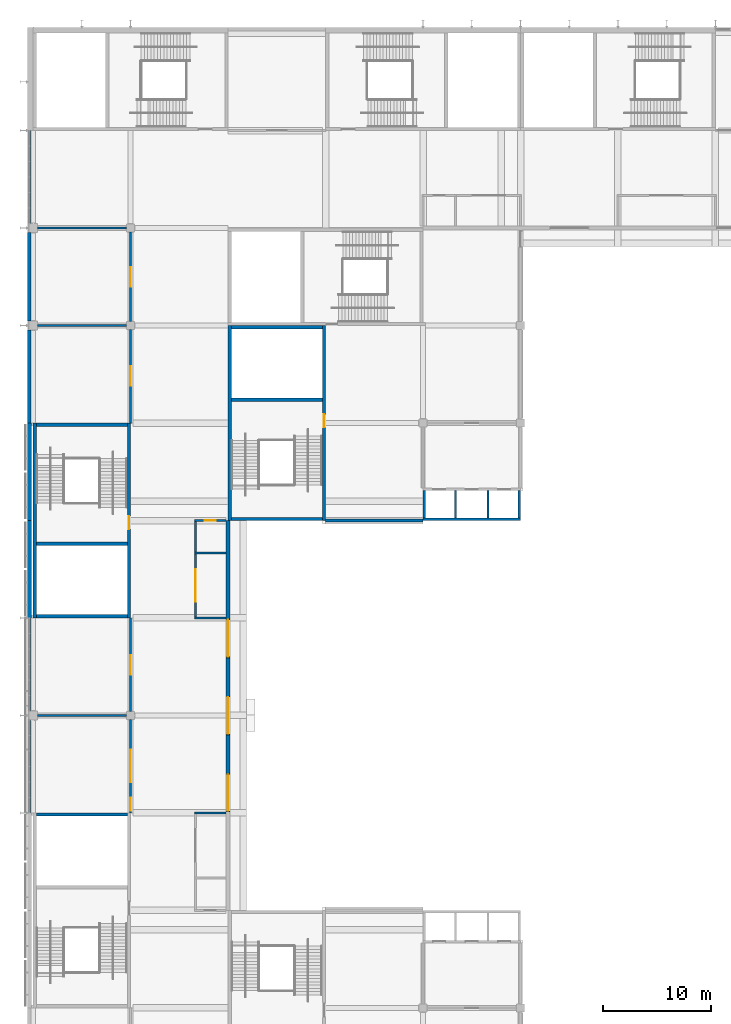
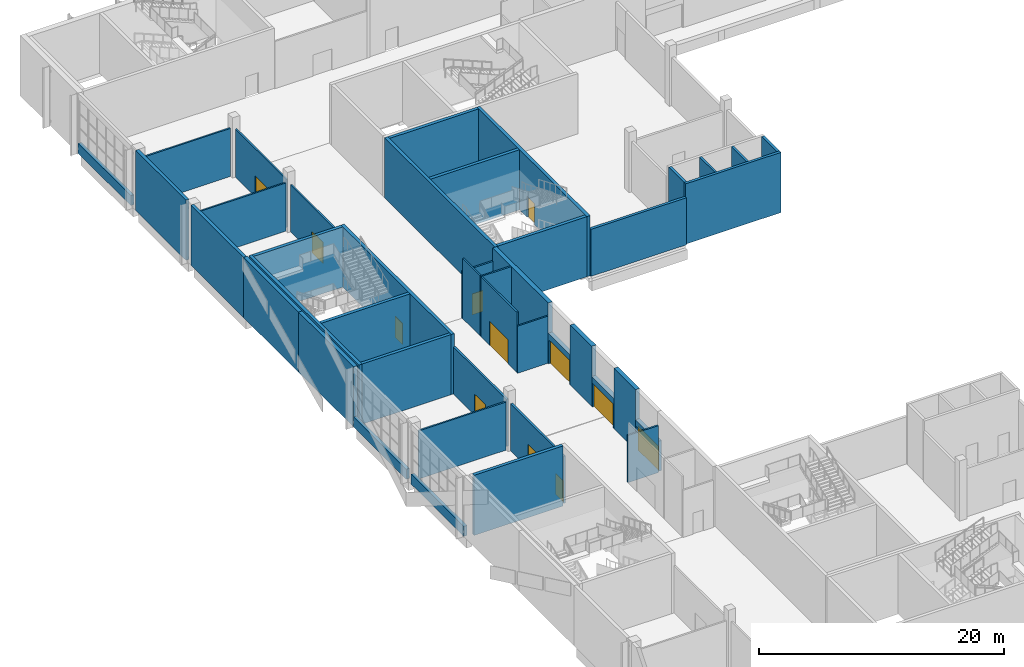
# One storey, part 42 of 89: 43 walls, 12 doors, 12 openings.
"""IFC4 building model written with IfcOpenShell, lengths in metres."""

from ifc_helpers import new_model, si_unit, direction, frame, frame_2d, origin, place, context, subcontext, project, spatial, rectangle, extrude, material, layer, layer_set, type_object, element, fill, save


model = new_model("IFC4")

# Units and contexts
model_context = context("Model", 3, precision=1e-05, world=origin(), true_north=direction((0.0, 1.0)))
body_context = subcontext(model_context, "Body", "Model", "MODEL_VIEW")
ifc_project = project(units=[si_unit("LENGTHUNIT", "METRE"), si_unit("AREAUNIT", "SQUARE_METRE"), si_unit("VOLUMEUNIT", "CUBIC_METRE"), si_unit("PLANEANGLEUNIT", "RADIAN"), si_unit("MASSUNIT", "GRAM", prefix="KILO")], contexts=[model_context])

# Site, building, storey
site_placement = place(None, origin())
site = spatial("IfcSite", under=ifc_project, at=site_placement, CompositionType="ELEMENT")
building_placement = place(site_placement, origin())
building = spatial("IfcBuilding", under=site, at=building_placement, Name="Silverbay Arena", CompositionType="ELEMENT")
storey_placement = place(building_placement, frame((0.0, 0.0, 22.0)))
storey = spatial("IfcBuildingStorey", under=building, at=storey_placement, Name="L03", CompositionType="ELEMENT", Elevation=22.0)

# Wall
ifc_material_1 = material(Name="Concrete Grade C45", Category="concrete")
ifc_layer_1 = layer(ifc_material_1, 0.25)
ifc_layer_set_1 = layer_set([ifc_layer_1], Name="Concrete Grade C45")
wall_type_1 = type_object("IfcWallType", Name="Bowl enclosure wall RC 250 EI 120", PredefinedType="SOLIDWALL", material=ifc_layer_set_1)
wall_1_placement = place(storey_placement, frame((81.0, 99.0, 0.0), z_axis=(0.0, 0.0, 1.0), x_axis=(1.0, 0.0, 0.0)))
element("IfcWall", 1, at=wall_1_placement, inside=storey, type_object=wall_type_1, Name="Bowl enclosure wall, corner block NW-y", PredefinedType="SOLIDWALL", context=body_context, shape_type="SweptSolid", body=[
    extrude(rectangle(XDim=9.0, YDim=0.25, at=frame_2d((4.5, 0.0))), origin(), (0.0, 0.0, 1.0), 4.699951171875),
])

# Wall, opening, door
ifc_material_2 = material(Name="Concrete Grade C45", Category="concrete")
ifc_layer_2 = layer(ifc_material_2, 0.39990234375)
ifc_layer_set_2 = layer_set([ifc_layer_2], Name="Concrete Grade C45")
wall_type_2 = type_object("IfcWallType", Name="Bowl enclosure wall RC 400 EI 120", PredefinedType="SOLIDWALL", material=ifc_layer_set_2)
wall_2_placement = place(storey_placement, frame((72.0, 79.199951171875, 0.0), z_axis=(0.0, 0.0, 1.0), x_axis=(0.0, 1.0, 0.0)))
wall_2 = element("IfcWall", 2, at=wall_2_placement, inside=storey, type_object=wall_type_2, Name="portal vomitory W 81", PredefinedType="SOLIDWALL", context=body_context, shape_type="SweptSolid", body=[
    extrude(rectangle(XDim=3.60009765625, YDim=0.39990234375, at=frame_2d((1.800048828125, 0.0))), origin(), (0.0, 0.0, 1.0), 3.0),
])
opening_1_placement = place(wall_2_placement, frame((0.10009765625, 0.0, 0.0)))
opening_1 = element("IfcOpeningElement", 3, at=opening_1_placement, cuts=wall_2, Name="Opening L03-097", PredefinedType="OPENING", context=body_context, shape_type="SweptSolid", body=[
    extrude(rectangle(XDim=3.39990234375, YDim=2.39990234375, at=frame_2d((1.699951171875, 1.199951171875))), frame((0.0, 0.2099609375, 0.0), z_axis=(0.0, -1.0, 0.0), x_axis=(1.0, 0.0, 0.0)), (0.0, 0.0, 1.0), 0.419921875),
])
ifc_material_3 = material(Name="Steel", Category="steel")
door_type_1 = type_object("IfcDoorType", Name="Fire door set 3400 x 2400 FD120S portal", OperationType="DOUBLE_DOOR_SINGLE_SWING", PredefinedType="DOOR", material=ifc_material_3)
door_1_placement = place(opening_1_placement, origin())
door_1 = element("IfcDoor", 4, at=door_1_placement, inside=storey, type_object=door_type_1, Name="Fire door set L03 portal vomitory W 81", OperationType="DOUBLE_DOOR_SINGLE_SWING", OverallHeight=2.39990234375, OverallWidth=3.39990234375, PredefinedType="DOOR", context=body_context, shape_type="SweptSolid", body=[
    extrude(rectangle(XDim=3.39990234375, YDim=2.39990234375, at=frame_2d((1.699951171875, 1.199951171875))), frame((0.0, 0.02490234375, 0.0), z_axis=(0.0, -1.0, 0.0), x_axis=(1.0, 0.0, 0.0)), (0.0, 0.0, 1.0), 0.050048828125),
])
fill(opening_1, door_1)

wall_3_placement = place(storey_placement, frame((72.0, 72.074951171875, 0.0), z_axis=(0.0, 0.0, 1.0), x_axis=(0.0, 1.0, 0.0)))
wall_3 = element("IfcWall", 5, at=wall_3_placement, inside=storey, type_object=wall_type_2, Name="portal stand W 73.875", PredefinedType="SOLIDWALL", context=body_context, shape_type="SweptSolid", body=[
    extrude(rectangle(XDim=3.60009765625, YDim=0.39990234375, at=frame_2d((1.800048828125, 0.0))), origin(), (0.0, 0.0, 1.0), 3.0),
])
opening_2_placement = place(wall_3_placement, frame((0.10009765625, 0.0, 0.0)))
opening_2 = element("IfcOpeningElement", 6, at=opening_2_placement, cuts=wall_3, Name="Opening L03-103", PredefinedType="OPENING", context=body_context, shape_type="SweptSolid", body=[
    extrude(rectangle(XDim=3.39990234375, YDim=2.39990234375, at=frame_2d((1.699951171875, 1.199951171875))), frame((0.0, 0.2099609375, 0.0), z_axis=(0.0, -1.0, 0.0), x_axis=(1.0, 0.0, 0.0)), (0.0, 0.0, 1.0), 0.419921875),
])
door_2_placement = place(opening_2_placement, origin())
door_2 = element("IfcDoor", 7, at=door_2_placement, inside=storey, type_object=door_type_1, Name="Fire door set L03 portal stand W 73.875", OperationType="DOUBLE_DOOR_SINGLE_SWING", OverallHeight=2.39990234375, OverallWidth=3.39990234375, PredefinedType="DOOR", context=body_context, shape_type="SweptSolid", body=[
    extrude(rectangle(XDim=3.39990234375, YDim=2.39990234375, at=frame_2d((1.699951171875, 1.199951171875))), frame((0.0, 0.02490234375, 0.0), z_axis=(0.0, -1.0, 0.0), x_axis=(1.0, 0.0, 0.0)), (0.0, 0.0, 1.0), 0.050048828125),
])
fill(opening_2, door_2)

wall_4_placement = place(storey_placement, frame((72.0, 86.324951171875, 0.0), z_axis=(0.0, 0.0, 1.0), x_axis=(0.0, 1.0, 0.0)))
wall_4 = element("IfcWall", 8, at=wall_4_placement, inside=storey, type_object=wall_type_2, Name="portal stand W 88.125", PredefinedType="SOLIDWALL", context=body_context, shape_type="SweptSolid", body=[
    extrude(rectangle(XDim=3.60009765625, YDim=0.39990234375, at=frame_2d((1.800048828125, 0.0))), origin(), (0.0, 0.0, 1.0), 3.0),
])
opening_3_placement = place(wall_4_placement, frame((0.10009765625, 0.0, 0.0)))
opening_3 = element("IfcOpeningElement", 9, at=opening_3_placement, cuts=wall_4, Name="Opening L03-104", PredefinedType="OPENING", context=body_context, shape_type="SweptSolid", body=[
    extrude(rectangle(XDim=3.39990234375, YDim=2.39990234375, at=frame_2d((1.699951171875, 1.199951171875))), frame((0.0, 0.2099609375, 0.0), z_axis=(0.0, -1.0, 0.0), x_axis=(1.0, 0.0, 0.0)), (0.0, 0.0, 1.0), 0.419921875),
])
door_3_placement = place(opening_3_placement, origin())
door_3 = element("IfcDoor", 10, at=door_3_placement, inside=storey, type_object=door_type_1, Name="Fire door set L03 portal stand W 88.125", OperationType="DOUBLE_DOOR_SINGLE_SWING", OverallHeight=2.39990234375, OverallWidth=3.39990234375, PredefinedType="DOOR", context=body_context, shape_type="SweptSolid", body=[
    extrude(rectangle(XDim=3.39990234375, YDim=2.39990234375, at=frame_2d((1.699951171875, 1.199951171875))), frame((0.0, 0.02490234375, 0.0), z_axis=(0.0, -1.0, 0.0), x_axis=(1.0, 0.0, 0.0)), (0.0, 0.0, 1.0), 0.050048828125),
])
fill(opening_3, door_3)

# Walls
ifc_material_4 = material(Name="Concrete Grade C45 precast, light finish", Category="concrete")
ifc_layer_3 = layer(ifc_material_4, 0.300048828125)
ifc_layer_set_3 = layer_set([ifc_layer_3], Name="Concrete Grade C45 precast, light finish")
wall_type_3 = type_object("IfcWallType", Name="Cladded external wall 300", PredefinedType="SOLIDWALL", material=ifc_layer_set_3)
for number, where, z_axis, x_axis, name in (
    (11, (53.64990234375, 80.60009765625, 0.0), (0.0, 0.0, 1.0), (0.0, -1.0, 0.0), "West sill wall L03 bay 7"),
    (12, (53.64990234375, 90.0, 0.0), (0.0, 0.0, 1.0), (0.0, -1.0, 0.0), "West sill wall L03 bay 8"),
):
    element("IfcWall", number, at=place(storey_placement, frame(where, z_axis=z_axis, x_axis=x_axis)), inside=storey, type_object=wall_type_3, Name=name, PredefinedType="SOLIDWALL", context=body_context, shape_type="SweptSolid", body=[
        extrude(rectangle(XDim=8.60009765625, YDim=0.300048828125, at=frame_2d((4.300048828125, 0.0))), origin(), (0.0, 0.0, 1.0), 1.0),
    ])
wall_5_placement = place(storey_placement, frame((53.64990234375, 116.60009765625, 0.0), z_axis=(0.0, 0.0, 1.0), x_axis=(0.0, -1.0, 0.0)))
element("IfcWall", 13, at=wall_5_placement, inside=storey, type_object=wall_type_3, Name="West external wall L03 bay 11", PredefinedType="SOLIDWALL", context=body_context, shape_type="SweptSolid", body=[
    extrude(rectangle(XDim=8.60009765625, YDim=0.300048828125, at=frame_2d((4.300048828125, 0.0))), origin(), (0.0, 0.0, 1.0), 6.0),
])
wall_6_placement = place(storey_placement, frame((53.64990234375, 125.60009765625, 0.0), z_axis=(0.0, 0.0, 1.0), x_axis=(0.0, -1.0, 0.0)))
element("IfcWall", 14, at=wall_6_placement, inside=storey, type_object=wall_type_3, Name="West external wall L03 bay 12", PredefinedType="SOLIDWALL", context=body_context, shape_type="SweptSolid", body=[
    extrude(rectangle(XDim=8.2001953125, YDim=0.300048828125, at=frame_2d((4.10009765625, 0.0))), origin(), (0.0, 0.0, 1.0), 6.0),
])
wall_7_placement = place(storey_placement, frame((53.64990234375, 135.0, 0.0), z_axis=(0.0, 0.0, 1.0), x_axis=(0.0, -1.0, 0.0)))
element("IfcWall", 15, at=wall_7_placement, inside=storey, type_object=wall_type_3, Name="West sill wall L03 bay 13", PredefinedType="SOLIDWALL", context=body_context, shape_type="SweptSolid", body=[
    extrude(rectangle(XDim=8.60009765625, YDim=0.300048828125, at=frame_2d((4.300048828125, 0.0))), origin(), (0.0, 0.0, 1.0), 1.0),
])
ifc_material_5 = material(Name="Concrete Grade C45", Category="concrete")
ifc_layer_4 = layer(ifc_material_5, 0.300048828125)
ifc_layer_set_4 = layer_set([ifc_layer_4], Name="Concrete Grade C45")
wall_type_4 = type_object("IfcWallType", Name="Core wall RC 300 EI 120", PredefinedType="SHEAR", material=ifc_layer_set_4)
wall_8_placement = place(storey_placement, frame((62.699951171875, 71.85009765625, 0.0), z_axis=(0.0, 0.0, 1.0), x_axis=(-1.0, 0.0, 0.0)))
element("IfcWall", 16, at=wall_8_placement, inside=storey, type_object=wall_type_4, Name="Core wall ST-W1 L03 end 2", PredefinedType="SHEAR", context=body_context, shape_type="SweptSolid", body=[
    extrude(rectangle(XDim=8.39990234375, YDim=0.300048828125, at=frame_2d((4.199951171875, 0.0))), origin(), (0.0, 0.0, 1.0), 6.0),
])

# Wall, opening, door
wall_9_placement = place(storey_placement, frame((62.85009765625, 108.0, 0.0), z_axis=(0.0, 0.0, 1.0), x_axis=(0.0, -1.0, 0.0)))
wall_9 = element("IfcWall", 17, at=wall_9_placement, inside=storey, type_object=wall_type_4, Name="Core wall ST-W2 L03 door side", PredefinedType="SHEAR", context=body_context, shape_type="SweptSolid", body=[
    extrude(rectangle(XDim=18.0, YDim=0.300048828125, at=frame_2d((9.0, 0.0))), origin(), (0.0, 0.0, 1.0), 6.0),
])
opening_4_placement = place(wall_9_placement, frame((8.60009765625, 0.0, 0.0)))
opening_4 = element("IfcOpeningElement", 18, at=opening_4_placement, cuts=wall_9, Name="Opening L03-066", PredefinedType="OPENING", context=body_context, shape_type="SweptSolid", body=[
    extrude(rectangle(XDim=1.199951171875, YDim=2.10009765625, at=frame_2d((0.60009765625, 1.050048828125))), frame((0.0, 0.16015625, 0.0), z_axis=(0.0, -1.0, 0.0), x_axis=(1.0, 0.0, 0.0)), (0.0, 0.0, 1.0), 0.320068359375),
])
ifc_material_6 = material(Name="Steel fire door", Category="steel")
door_type_2 = type_object("IfcDoorType", Name="Stair door 1200 x 2100 fire door", OperationType="SINGLE_SWING_LEFT", PredefinedType="DOOR", material=ifc_material_6)
door_4_placement = place(opening_4_placement, frame((1.199951171875, 0.0, 0.0), z_axis=(0.0, 0.0, 1.0), x_axis=(-1.0, 0.0, 0.0)))
door_4 = element("IfcDoor", 19, at=door_4_placement, inside=storey, type_object=door_type_2, Name="Stair door ST-W2 L03", OperationType="SINGLE_SWING_LEFT", OverallHeight=2.10009765625, OverallWidth=1.199951171875, PredefinedType="DOOR", context=body_context, shape_type="SweptSolid", body=[
    extrude(rectangle(XDim=1.199951171875, YDim=2.10009765625, at=frame_2d((0.60009765625, 1.050048828125))), frame((0.0, 0.02490234375, 0.0), z_axis=(0.0, -1.0, 0.0), x_axis=(1.0, 0.0, 0.0)), (0.0, 0.0, 1.0), 0.050048828125),
])
fill(opening_4, door_4)

# Walls
wall_10_placement = place(storey_placement, frame((54.14990234375, 108.0, 0.0), z_axis=(0.0, 0.0, 1.0), x_axis=(0.0, -1.0, 0.0)))
element("IfcWall", 20, at=wall_10_placement, inside=storey, type_object=wall_type_4, Name="Core wall ST-W2 L03 far side", PredefinedType="SHEAR", context=body_context, shape_type="SweptSolid", body=[
    extrude(rectangle(XDim=18.0, YDim=0.300048828125, at=frame_2d((9.0, 0.0))), origin(), (0.0, 0.0, 1.0), 6.0),
])
for number, where, z_axis, x_axis, name in (
    (21, (62.699951171875, 107.85009765625, 0.0), (0.0, 0.0, 1.0), (-1.0, 0.0, 0.0), "Core wall ST-W2 L03 end 1"),
    (22, (62.699951171875, 90.14990234375, 0.0), (0.0, 0.0, 1.0), (-1.0, 0.0, 0.0), "Core wall ST-W2 L03 end 2"),
    (23, (62.699951171875, 96.85009765625, 0.0), (0.0, 0.0, 1.0), (-1.0, 0.0, 0.0), "Core wall ST-W2 L03 stair enclosure"),
):
    element("IfcWall", number, at=place(storey_placement, frame(where, z_axis=z_axis, x_axis=x_axis)), inside=storey, type_object=wall_type_4, Name=name, PredefinedType="SHEAR", context=body_context, shape_type="SweptSolid", body=[
        extrude(rectangle(XDim=8.39990234375, YDim=0.300048828125, at=frame_2d((4.199951171875, 0.0))), origin(), (0.0, 0.0, 1.0), 6.0),
    ])

# Wall, opening, door
wall_11_placement = place(storey_placement, frame((80.85009765625, 99.0, 0.0), z_axis=(0.0, 0.0, 1.0), x_axis=(0.0, 1.0, 0.0)))
wall_11 = element("IfcWall", 24, at=wall_11_placement, inside=storey, type_object=wall_type_4, Name="Core wall ST-NW2 L03 door side", PredefinedType="SHEAR", context=body_context, shape_type="SweptSolid", body=[
    extrude(rectangle(XDim=18.0, YDim=0.300048828125, at=frame_2d((9.0, 0.0))), origin(), (0.0, 0.0, 1.0), 6.0),
])
opening_5_placement = place(wall_11_placement, frame((8.60009765625, 0.0, 0.0)))
opening_5 = element("IfcOpeningElement", 25, at=opening_5_placement, cuts=wall_11, Name="Opening L03-074", PredefinedType="OPENING", context=body_context, shape_type="SweptSolid", body=[
    extrude(rectangle(XDim=1.199951171875, YDim=2.10009765625, at=frame_2d((0.60009765625, 1.050048828125))), frame((0.0, 0.16015625, 0.0), z_axis=(0.0, -1.0, 0.0), x_axis=(1.0, 0.0, 0.0)), (0.0, 0.0, 1.0), 0.320068359375),
])
door_5_placement = place(opening_5_placement, origin())
door_5 = element("IfcDoor", 26, at=door_5_placement, inside=storey, type_object=door_type_2, Name="Stair door ST-NW2 L03", OperationType="SINGLE_SWING_RIGHT", OverallHeight=2.10009765625, OverallWidth=1.199951171875, PredefinedType="DOOR", context=body_context, shape_type="SweptSolid", body=[
    extrude(rectangle(XDim=1.199951171875, YDim=2.10009765625, at=frame_2d((0.60009765625, 1.050048828125))), frame((0.0, 0.02490234375, 0.0), z_axis=(0.0, -1.0, 0.0), x_axis=(1.0, 0.0, 0.0)), (0.0, 0.0, 1.0), 0.050048828125),
])
fill(opening_5, door_5)

# Walls
wall_12_placement = place(storey_placement, frame((72.14990234375, 99.0, 0.0), z_axis=(0.0, 0.0, 1.0), x_axis=(0.0, 1.0, 0.0)))
element("IfcWall", 27, at=wall_12_placement, inside=storey, type_object=wall_type_4, Name="Core wall ST-NW2 L03 far side", PredefinedType="SHEAR", context=body_context, shape_type="SweptSolid", body=[
    extrude(rectangle(XDim=18.0, YDim=0.300048828125, at=frame_2d((9.0, 0.0))), origin(), (0.0, 0.0, 1.0), 6.0),
])
for number, where, z_axis, x_axis, name in (
    (28, (80.699951171875, 99.14990234375, 0.0), (0.0, 0.0, 1.0), (-1.0, 0.0, 0.0), "Core wall ST-NW2 L03 end 1"),
    (29, (80.699951171875, 116.85009765625, 0.0), (0.0, 0.0, 1.0), (-1.0, 0.0, 0.0), "Core wall ST-NW2 L03 end 2"),
    (30, (80.699951171875, 110.14990234375, 0.0), (0.0, 0.0, 1.0), (-1.0, 0.0, 0.0), "Core wall ST-NW2 L03 stair enclosure"),
):
    element("IfcWall", number, at=place(storey_placement, frame(where, z_axis=z_axis, x_axis=x_axis)), inside=storey, type_object=wall_type_4, Name=name, PredefinedType="SHEAR", context=body_context, shape_type="SweptSolid", body=[
        extrude(rectangle(XDim=8.39990234375, YDim=0.300048828125, at=frame_2d((4.199951171875, 0.0))), origin(), (0.0, 0.0, 1.0), 6.0),
    ])
ifc_material_7 = material(Name="Concrete Grade C45", Category="concrete")
ifc_layer_5 = layer(ifc_material_7, 0.199951171875)
ifc_layer_set_5 = layer_set([ifc_layer_5], Name="Concrete Grade C45")
wall_type_5 = type_object("IfcWallType", Name="Lift shaft divider RC 200 EI 120", PredefinedType="SHEAR", material=ifc_layer_set_5)
for number, where, z_axis, x_axis, name in (
    (31, (93.0, 99.25, 0.0), (0.0, 0.0, 1.0), (0.0, 1.0, 0.0), "Lift shaft divider LB-NW L03 1"),
    (32, (96.0, 99.25, 0.0), (0.0, 0.0, 1.0), (0.0, 1.0, 0.0), "Lift shaft divider LB-NW L03 2"),
):
    element("IfcWall", number, at=place(storey_placement, frame(where, z_axis=z_axis, x_axis=x_axis)), inside=storey, type_object=wall_type_5, Name=name, PredefinedType="SHEAR", context=body_context, shape_type="SweptSolid", body=[
        extrude(rectangle(XDim=2.5, YDim=0.199951171875, at=frame_2d((1.25, 0.0))), origin(), (0.0, 0.0, 1.0), 6.0),
    ])
ifc_material_8 = material(Name="Concrete Grade C45", Category="concrete")
ifc_layer_6 = layer(ifc_material_8, 0.25)
ifc_layer_set_6 = layer_set([ifc_layer_6], Name="Concrete Grade C45")
wall_type_6 = type_object("IfcWallType", Name="Lift shaft wall RC 250 EI 120", PredefinedType="SHEAR", material=ifc_layer_set_6)
wall_13_placement = place(storey_placement, frame((90.0, 99.125, 0.0), z_axis=(0.0, 0.0, 1.0), x_axis=(1.0, 0.0, 0.0)))
element("IfcWall", 33, at=wall_13_placement, inside=storey, type_object=wall_type_6, Name="Lift shaft wall LB-NW L03 back", PredefinedType="SHEAR", context=body_context, shape_type="SweptSolid", body=[
    extrude(rectangle(XDim=9.0, YDim=0.25, at=frame_2d((4.5, 0.0))), origin(), (0.0, 0.0, 1.0), 6.0),
])
for number, where, z_axis, x_axis, name in (
    (34, (90.125, 99.25, 0.0), (0.0, 0.0, 1.0), (0.0, 1.0, 0.0), "Lift shaft wall LB-NW L03 end"),
    (35, (98.875, 99.25, 0.0), (0.0, 0.0, 1.0), (0.0, 1.0, 0.0), "Lift shaft wall LB-NW L03 end"),
):
    element("IfcWall", number, at=place(storey_placement, frame(where, z_axis=z_axis, x_axis=x_axis)), inside=storey, type_object=wall_type_6, Name=name, PredefinedType="SHEAR", context=body_context, shape_type="SweptSolid", body=[
        extrude(rectangle(XDim=2.5, YDim=0.25, at=frame_2d((1.25, 0.0))), origin(), (0.0, 0.0, 1.0), 6.0),
    ])
ifc_material_9 = material(Name="Gypsum board partition on steel studs", Category="steel")
ifc_layer_7 = layer(ifc_material_9, 0.14990234375)
ifc_layer_set_7 = layer_set([ifc_layer_7], Name="Gypsum board partition on steel studs")
wall_type_7 = type_object("IfcWallType", Name="Partition 150 EI 60", PredefinedType="PARTITIONING", material=ifc_layer_set_7)
wall_14_placement = place(storey_placement, frame((68.925048828125, 72.0, 0.0), z_axis=(0.0, 0.0, 1.0), x_axis=(1.0, 0.0, 0.0)))
element("IfcWall", 36, at=wall_14_placement, inside=storey, type_object=wall_type_7, Name="Partition wall", PredefinedType="PARTITIONING", context=body_context, shape_type="SweptSolid", body=[
    extrude(rectangle(XDim=2.875, YDim=0.14990234375, at=frame_2d((1.4375, 0.0))), origin(), (0.0, 0.0, 1.0), 4.699951171875),
])
wall_15_placement = place(storey_placement, frame((54.39990234375, 81.0, 0.0), z_axis=(0.0, 0.0, 1.0), x_axis=(1.0, 0.0, 0.0)))
element("IfcWall", 37, at=wall_15_placement, inside=storey, type_object=wall_type_7, Name="Partition wall", PredefinedType="PARTITIONING", context=body_context, shape_type="SweptSolid", body=[
    extrude(rectangle(XDim=8.25, YDim=0.14990234375, at=frame_2d((4.125, 0.0))), origin(), (0.0, 0.0, 1.0), 4.800048828125),
])
wall_16_placement = place(storey_placement, frame((68.925048828125, 90.0, 0.0), z_axis=(0.0, 0.0, 1.0), x_axis=(1.0, 0.0, 0.0)))
element("IfcWall", 38, at=wall_16_placement, inside=storey, type_object=wall_type_7, Name="Partition wall", PredefinedType="PARTITIONING", context=body_context, shape_type="SweptSolid", body=[
    extrude(rectangle(XDim=2.875, YDim=0.14990234375, at=frame_2d((1.4375, 0.0))), origin(), (0.0, 0.0, 1.0), 4.699951171875),
])
wall_17_placement = place(storey_placement, frame((68.925048828125, 96.0, 0.0), z_axis=(0.0, 0.0, 1.0), x_axis=(1.0, 0.0, 0.0)))
element("IfcWall", 39, at=wall_17_placement, inside=storey, type_object=wall_type_7, Name="Partition wall", PredefinedType="PARTITIONING", context=body_context, shape_type="SweptSolid", body=[
    extrude(rectangle(XDim=2.875, YDim=0.14990234375, at=frame_2d((1.4375, 0.0))), origin(), (0.0, 0.0, 1.0), 6.0),
])

# Wall, opening, door
wall_18_placement = place(storey_placement, frame((68.925048828125, 99.0, 0.0), z_axis=(0.0, 0.0, 1.0), x_axis=(1.0, 0.0, 0.0)))
wall_18 = element("IfcWall", 40, at=wall_18_placement, inside=storey, type_object=wall_type_7, Name="Partition wall", PredefinedType="PARTITIONING", context=body_context, shape_type="SweptSolid", body=[
    extrude(rectangle(XDim=2.875, YDim=0.14990234375, at=frame_2d((1.4375, 0.0))), origin(), (0.0, 0.0, 1.0), 4.699951171875),
])
opening_6_placement = place(wall_18_placement, frame((0.93798828125, 0.0, 0.0)))
opening_6 = element("IfcOpeningElement", 41, at=opening_6_placement, cuts=wall_18, Name="Opening L03-042", PredefinedType="OPENING", context=body_context, shape_type="SweptSolid", body=[
    extrude(rectangle(XDim=1.0, YDim=2.10009765625, at=frame_2d((0.5, 1.050048828125))), frame((0.0, 0.0849609375, 0.0), z_axis=(0.0, -1.0, 0.0), x_axis=(1.0, 0.0, 0.0)), (0.0, 0.0, 1.0), 0.169921875),
])
ifc_material_10 = material(Name="Steel faced timber", Category="steel")
door_type_3 = type_object("IfcDoorType", Name="Single leaf door 1000 x 2100 FD30S", OperationType="SINGLE_SWING_LEFT", PredefinedType="DOOR", material=ifc_material_10)
door_6_placement = place(opening_6_placement, frame((1.0, 0.0, 0.0), z_axis=(0.0, 0.0, 1.0), x_axis=(-1.0, 0.0, 0.0)))
door_6 = element("IfcDoor", 42, at=door_6_placement, inside=storey, type_object=door_type_3, Name="Door L03-042", OperationType="SINGLE_SWING_LEFT", OverallHeight=2.10009765625, OverallWidth=1.0, PredefinedType="DOOR", context=body_context, shape_type="SweptSolid", body=[
    extrude(rectangle(XDim=1.0, YDim=2.10009765625, at=frame_2d((0.5, 1.050048828125))), frame((0.0, 0.02490234375, 0.0), z_axis=(0.0, -1.0, 0.0), x_axis=(1.0, 0.0, 0.0)), (0.0, 0.0, 1.0), 0.050048828125),
])
fill(opening_6, door_6)

# Walls
for number, where, z_axis, x_axis, name in (
    (43, (54.39990234375, 117.0, 0.0), (0.0, 0.0, 1.0), (1.0, 0.0, 0.0), "Partition wall"),
    (44, (54.39990234375, 126.0, 0.0), (0.0, 0.0, 1.0), (1.0, 0.0, 0.0), "Partition wall"),
):
    element("IfcWall", number, at=place(storey_placement, frame(where, z_axis=z_axis, x_axis=x_axis)), inside=storey, type_object=wall_type_7, Name=name, PredefinedType="PARTITIONING", context=body_context, shape_type="SweptSolid", body=[
        extrude(rectangle(XDim=8.25, YDim=0.14990234375, at=frame_2d((4.125, 0.0))), origin(), (0.0, 0.0, 1.0), 4.800048828125),
    ])

# Wall, opening, door
wall_19_placement = place(storey_placement, frame((63.0, 108.0, 0.0), z_axis=(0.0, 0.0, 1.0), x_axis=(0.0, 1.0, 0.0)))
wall_19 = element("IfcWall", 45, at=wall_19_placement, inside=storey, type_object=wall_type_7, Name="Partition wall", PredefinedType="PARTITIONING", context=body_context, shape_type="SweptSolid", body=[
    extrude(rectangle(XDim=8.64990234375, YDim=0.14990234375, at=frame_2d((4.324951171875, 0.0))), origin(), (0.0, 0.0, 1.0), 4.699951171875),
])
opening_7_placement = place(wall_19_placement, frame((3.425048828125, 0.0, 0.0)))
opening_7 = element("IfcOpeningElement", 46, at=opening_7_placement, cuts=wall_19, Name="Opening L03-013", PredefinedType="OPENING", context=body_context, shape_type="SweptSolid", body=[
    extrude(rectangle(XDim=1.800048828125, YDim=2.10009765625, at=frame_2d((0.89990234375, 1.050048828125))), frame((0.0, 0.0849609375, 0.0), z_axis=(0.0, -1.0, 0.0), x_axis=(1.0, 0.0, 0.0)), (0.0, 0.0, 1.0), 0.169921875),
])
ifc_material_11 = material(Name="Steel faced timber", Category="steel")
door_type_4 = type_object("IfcDoorType", Name="Double leaf door 1800 x 2100 FD30S", OperationType="DOUBLE_DOOR_DOUBLE_SWING", PredefinedType="DOOR", material=ifc_material_11)
door_7_placement = place(opening_7_placement, origin())
door_7 = element("IfcDoor", 47, at=door_7_placement, inside=storey, type_object=door_type_4, Name="Door L03-013", OperationType="DOUBLE_DOOR_DOUBLE_SWING", OverallHeight=2.10009765625, OverallWidth=1.800048828125, PredefinedType="DOOR", context=body_context, shape_type="SweptSolid", body=[
    extrude(rectangle(XDim=1.800048828125, YDim=2.10009765625, at=frame_2d((0.89990234375, 1.050048828125))), frame((0.0, 0.02490234375, 0.0), z_axis=(0.0, -1.0, 0.0), x_axis=(1.0, 0.0, 0.0)), (0.0, 0.0, 1.0), 0.050048828125),
])
fill(opening_7, door_7)

wall_20_placement = place(storey_placement, frame((63.0, 117.35009765625, 0.0), z_axis=(0.0, 0.0, 1.0), x_axis=(0.0, 1.0, 0.0)))
wall_20 = element("IfcWall", 48, at=wall_20_placement, inside=storey, type_object=wall_type_7, Name="Partition wall", PredefinedType="PARTITIONING", context=body_context, shape_type="SweptSolid", body=[
    extrude(rectangle(XDim=8.2998046875, YDim=0.14990234375, at=frame_2d((4.14990234375, 0.0))), origin(), (0.0, 0.0, 1.0), 4.800048828125),
])
opening_8_placement = place(wall_20_placement, frame((3.25, 0.0, 0.0)))
opening_8 = element("IfcOpeningElement", 49, at=opening_8_placement, cuts=wall_20, Name="Opening L03-014", PredefinedType="OPENING", context=body_context, shape_type="SweptSolid", body=[
    extrude(rectangle(XDim=1.800048828125, YDim=2.10009765625, at=frame_2d((0.89990234375, 1.050048828125))), frame((0.0, 0.0849609375, 0.0), z_axis=(0.0, -1.0, 0.0), x_axis=(1.0, 0.0, 0.0)), (0.0, 0.0, 1.0), 0.169921875),
])
door_8_placement = place(opening_8_placement, origin())
door_8 = element("IfcDoor", 50, at=door_8_placement, inside=storey, type_object=door_type_4, Name="Door L03-014", OperationType="DOUBLE_DOOR_DOUBLE_SWING", OverallHeight=2.10009765625, OverallWidth=1.800048828125, PredefinedType="DOOR", context=body_context, shape_type="SweptSolid", body=[
    extrude(rectangle(XDim=1.800048828125, YDim=2.10009765625, at=frame_2d((0.89990234375, 1.050048828125))), frame((0.0, 0.02490234375, 0.0), z_axis=(0.0, -1.0, 0.0), x_axis=(1.0, 0.0, 0.0)), (0.0, 0.0, 1.0), 0.050048828125),
])
fill(opening_8, door_8)

wall_21_placement = place(storey_placement, frame((69.0, 90.074951171875, 0.0), z_axis=(0.0, 0.0, 1.0), x_axis=(0.0, 1.0, 0.0)))
wall_21 = element("IfcWall", 51, at=wall_21_placement, inside=storey, type_object=wall_type_7, Name="Partition wall", PredefinedType="PARTITIONING", context=body_context, shape_type="SweptSolid", body=[
    extrude(rectangle(XDim=5.85009765625, YDim=0.14990234375, at=frame_2d((2.925048828125, 0.0))), origin(), (0.0, 0.0, 1.0), 6.0),
])
opening_9_placement = place(wall_21_placement, frame((1.425048828125, 0.0, 0.0)))
opening_9 = element("IfcOpeningElement", 52, at=opening_9_placement, cuts=wall_21, Name="Opening L03-041", PredefinedType="OPENING", context=body_context, shape_type="SweptSolid", body=[
    extrude(rectangle(XDim=3.0, YDim=2.39990234375, at=frame_2d((1.5, 1.199951171875))), frame((0.0, 0.0849609375, 0.0), z_axis=(0.0, -1.0, 0.0), x_axis=(1.0, 0.0, 0.0)), (0.0, 0.0, 1.0), 0.169921875),
])
ifc_material_12 = material(Name="Steel", Category="steel")
door_type_5 = type_object("IfcDoorType", Name="Roller shutter 3000 x 2400 FD30S", OperationType="ROLLINGUP", PredefinedType="DOOR", material=ifc_material_12)
door_9_placement = place(opening_9_placement, origin())
door_9 = element("IfcDoor", 53, at=door_9_placement, inside=storey, type_object=door_type_5, Name="Door L03-041", OperationType="ROLLINGUP", OverallHeight=2.39990234375, OverallWidth=3.0, PredefinedType="DOOR", context=body_context, shape_type="SweptSolid", body=[
    extrude(rectangle(XDim=3.0, YDim=2.39990234375, at=frame_2d((1.5, 1.199951171875))), frame((0.0, 0.02490234375, 0.0), z_axis=(0.0, -1.0, 0.0), x_axis=(1.0, 0.0, 0.0)), (0.0, 0.0, 1.0), 0.050048828125),
])
fill(opening_9, door_9)

# Wall
wall_22_placement = place(storey_placement, frame((69.0, 96.074951171875, 0.0), z_axis=(0.0, 0.0, 1.0), x_axis=(0.0, 1.0, 0.0)))
element("IfcWall", 54, at=wall_22_placement, inside=storey, type_object=wall_type_7, Name="Partition wall", PredefinedType="PARTITIONING", context=body_context, shape_type="SweptSolid", body=[
    extrude(rectangle(XDim=2.85009765625, YDim=0.14990234375, at=frame_2d((1.425048828125, 0.0))), origin(), (0.0, 0.0, 1.0), 6.0),
])

# Wall, opening, door
ifc_material_13 = material(Name="Masonry blockwork partition", Category="masonry")
ifc_layer_8 = layer(ifc_material_13, 0.199951171875)
ifc_layer_set_8 = layer_set([ifc_layer_8], Name="Masonry blockwork partition")
wall_type_8 = type_object("IfcWallType", Name="Partition 200 EI 120", PredefinedType="PARTITIONING", material=ifc_layer_set_8)
wall_23_placement = place(storey_placement, frame((63.0, 81.35009765625, 0.0), z_axis=(0.0, 0.0, 1.0), x_axis=(0.0, 1.0, 0.0)))
wall_23 = element("IfcWall", 55, at=wall_23_placement, inside=storey, type_object=wall_type_8, Name="Partition wall", PredefinedType="PARTITIONING", context=body_context, shape_type="SweptSolid", body=[
    extrude(rectangle(XDim=8.64990234375, YDim=0.199951171875, at=frame_2d((4.324951171875, 0.0))), origin(), (0.0, 0.0, 1.0), 4.699951171875),
])
opening_10_placement = place(wall_23_placement, frame((3.425048828125, 0.0, 0.0)))
opening_10 = element("IfcOpeningElement", 56, at=opening_10_placement, cuts=wall_23, Name="Opening L03-012", PredefinedType="OPENING", context=body_context, shape_type="SweptSolid", body=[
    extrude(rectangle(XDim=1.800048828125, YDim=2.10009765625, at=frame_2d((0.89990234375, 1.050048828125))), frame((0.0, 0.10986328125, 0.0), z_axis=(0.0, -1.0, 0.0), x_axis=(1.0, 0.0, 0.0)), (0.0, 0.0, 1.0), 0.219970703125),
])
ifc_material_14 = material(Name="Steel faced timber", Category="steel")
door_type_6 = type_object("IfcDoorType", Name="Double leaf door 1800 x 2100 FD120", OperationType="DOUBLE_DOOR_DOUBLE_SWING", PredefinedType="DOOR", material=ifc_material_14)
door_10_placement = place(opening_10_placement, origin())
door_10 = element("IfcDoor", 57, at=door_10_placement, inside=storey, type_object=door_type_6, Name="Door L03-012", OperationType="DOUBLE_DOOR_DOUBLE_SWING", OverallHeight=2.10009765625, OverallWidth=1.800048828125, PredefinedType="DOOR", context=body_context, shape_type="SweptSolid", body=[
    extrude(rectangle(XDim=1.800048828125, YDim=2.10009765625, at=frame_2d((0.89990234375, 1.050048828125))), frame((0.0, 0.02490234375, 0.0), z_axis=(0.0, -1.0, 0.0), x_axis=(1.0, 0.0, 0.0)), (0.0, 0.0, 1.0), 0.050048828125),
])
fill(opening_10, door_10)

# Wall, openings, doors
ifc_material_15 = material(Name="Gypsum board partition on steel studs", Category="steel")
ifc_layer_9 = layer(ifc_material_15, 0.199951171875)
ifc_layer_set_9 = layer_set([ifc_layer_9], Name="Gypsum board partition on steel studs")
wall_type_9 = type_object("IfcWallType", Name="Partition 200 EI 60", PredefinedType="PARTITIONING", material=ifc_layer_set_9)
wall_24_placement = place(storey_placement, frame((63.0, 72.0, 0.0), z_axis=(0.0, 0.0, 1.0), x_axis=(0.0, 1.0, 0.0)))
wall_24 = element("IfcWall", 58, at=wall_24_placement, inside=storey, type_object=wall_type_9, Name="Partition wall", PredefinedType="PARTITIONING", context=body_context, shape_type="SweptSolid", body=[
    extrude(rectangle(XDim=8.64990234375, YDim=0.199951171875, at=frame_2d((4.324951171875, 0.0))), origin(), (0.0, 0.0, 1.0), 4.699951171875),
])
opening_11_placement = place(wall_24_placement, frame((2.824951171875, 0.0, 0.0)))
opening_11 = element("IfcOpeningElement", 59, at=opening_11_placement, cuts=wall_24, Name="Opening L03-011", PredefinedType="OPENING", context=body_context, shape_type="SweptSolid", body=[
    extrude(rectangle(XDim=3.0, YDim=2.39990234375, at=frame_2d((1.5, 1.199951171875))), frame((0.0, 0.10986328125, 0.0), z_axis=(0.0, -1.0, 0.0), x_axis=(1.0, 0.0, 0.0)), (0.0, 0.0, 1.0), 0.219970703125),
])
opening_12_placement = place(wall_24_placement, frame((0.199951171875, 0.0, 0.0)))
opening_12 = element("IfcOpeningElement", 60, at=opening_12_placement, cuts=wall_24, Name="Opening L03-051", PredefinedType="OPENING", context=body_context, shape_type="SweptSolid", body=[
    extrude(rectangle(XDim=1.199951171875, YDim=2.10009765625, at=frame_2d((0.60009765625, 1.050048828125))), frame((0.0, 0.10986328125, 0.0), z_axis=(0.0, -1.0, 0.0), x_axis=(1.0, 0.0, 0.0)), (0.0, 0.0, 1.0), 0.219970703125),
])
door_11_placement = place(opening_11_placement, origin())
door_11 = element("IfcDoor", 61, at=door_11_placement, inside=storey, type_object=door_type_5, Name="Door L03-011", OperationType="ROLLINGUP", OverallHeight=2.39990234375, OverallWidth=3.0, PredefinedType="DOOR", context=body_context, shape_type="SweptSolid", body=[
    extrude(rectangle(XDim=3.0, YDim=2.39990234375, at=frame_2d((1.5, 1.199951171875))), frame((0.0, 0.02490234375, 0.0), z_axis=(0.0, -1.0, 0.0), x_axis=(1.0, 0.0, 0.0)), (0.0, 0.0, 1.0), 0.050048828125),
])
fill(opening_11, door_11)
ifc_material_16 = material(Name="Steel faced timber", Category="steel")
door_type_7 = type_object("IfcDoorType", Name="Single leaf door 1200 x 2100 FD30S", OperationType="SINGLE_SWING_LEFT", PredefinedType="DOOR", material=ifc_material_16)
door_12_placement = place(opening_12_placement, origin())
door_12 = element("IfcDoor", 62, at=door_12_placement, inside=storey, type_object=door_type_7, Name="Door L03-051", OperationType="SINGLE_SWING_LEFT", OverallHeight=2.10009765625, OverallWidth=1.199951171875, PredefinedType="DOOR", context=body_context, shape_type="SweptSolid", body=[
    extrude(rectangle(XDim=1.199951171875, YDim=2.10009765625, at=frame_2d((0.60009765625, 1.050048828125))), frame((0.0, 0.02490234375, 0.0), z_axis=(0.0, -1.0, 0.0), x_axis=(1.0, 0.0, 0.0)), (0.0, 0.0, 1.0), 0.050048828125),
])
fill(opening_12, door_12)

# Walls
ifc_material_17 = material(Name="Concrete Grade C45", Category="concrete")
ifc_layer_10 = layer(ifc_material_17, 0.39990234375)
ifc_layer_set_10 = layer_set([ifc_layer_10], Name="Concrete Grade C45")
wall_type_10 = type_object("IfcWallType", Name="RC back wall 400 EI 120", PredefinedType="SOLIDWALL", material=ifc_layer_set_10)
wall_25_placement = place(storey_placement, frame((72.0, 99.0, 0.0), z_axis=(0.0, 0.0, 1.0), x_axis=(0.0, -1.0, 0.0)))
element("IfcWall", 63, at=wall_25_placement, inside=storey, type_object=wall_type_10, Name="Bowl back wall L03 15", PredefinedType="SOLIDWALL", context=body_context, shape_type="SweptSolid", body=[
    extrude(rectangle(XDim=9.074951171875, YDim=0.39990234375, at=frame_2d((4.53759765625, 0.0))), origin(), (0.0, 0.0, 1.0), 6.0),
])
for number, where, z_axis, x_axis, name in (
    (64, (72.0, 86.324951171875, 0.0), (0.0, 0.0, 1.0), (0.0, -1.0, 0.0), "Bowl back wall L03 16"),
    (65, (72.0, 79.199951171875, 0.0), (0.0, 0.0, 1.0), (0.0, -1.0, 0.0), "Bowl back wall L03 17"),
):
    element("IfcWall", number, at=place(storey_placement, frame(where, z_axis=z_axis, x_axis=x_axis)), inside=storey, type_object=wall_type_10, Name=name, PredefinedType="SOLIDWALL", context=body_context, shape_type="SweptSolid", body=[
        extrude(rectangle(XDim=3.52490234375, YDim=0.39990234375, at=frame_2d((1.762451171875, 0.0))), origin(), (0.0, 0.0, 1.0), 6.0),
    ])
ifc_material_18 = material(Name="Concrete Grade C45", Category="concrete")
ifc_layer_11 = layer(ifc_material_18, 0.35009765625)
ifc_layer_set_11 = layer_set([ifc_layer_11], Name="Concrete Grade C45")
wall_type_11 = type_object("IfcWallType", Name="Stair core facade wall 350", PredefinedType="SOLIDWALL", material=ifc_layer_set_11)
for number, where, z_axis, x_axis, name in (
    (66, (53.675048828125, 99.0, 0.0), (0.0, 0.0, 1.0), (0.0, -1.0, 0.0), "West external wall L03 bay 9"),
    (67, (53.675048828125, 108.0, 0.0), (0.0, 0.0, 1.0), (0.0, -1.0, 0.0), "West external wall L03 bay 10"),
):
    element("IfcWall", number, at=place(storey_placement, frame(where, z_axis=z_axis, x_axis=x_axis)), inside=storey, type_object=wall_type_11, Name=name, PredefinedType="SOLIDWALL", context=body_context, shape_type="SweptSolid", body=[
        extrude(rectangle(XDim=9.0, YDim=0.35009765625, at=frame_2d((4.5, 0.0))), origin(), (0.0, 0.0, 1.0), 6.0),
    ])

save(model, "model.ifc")
